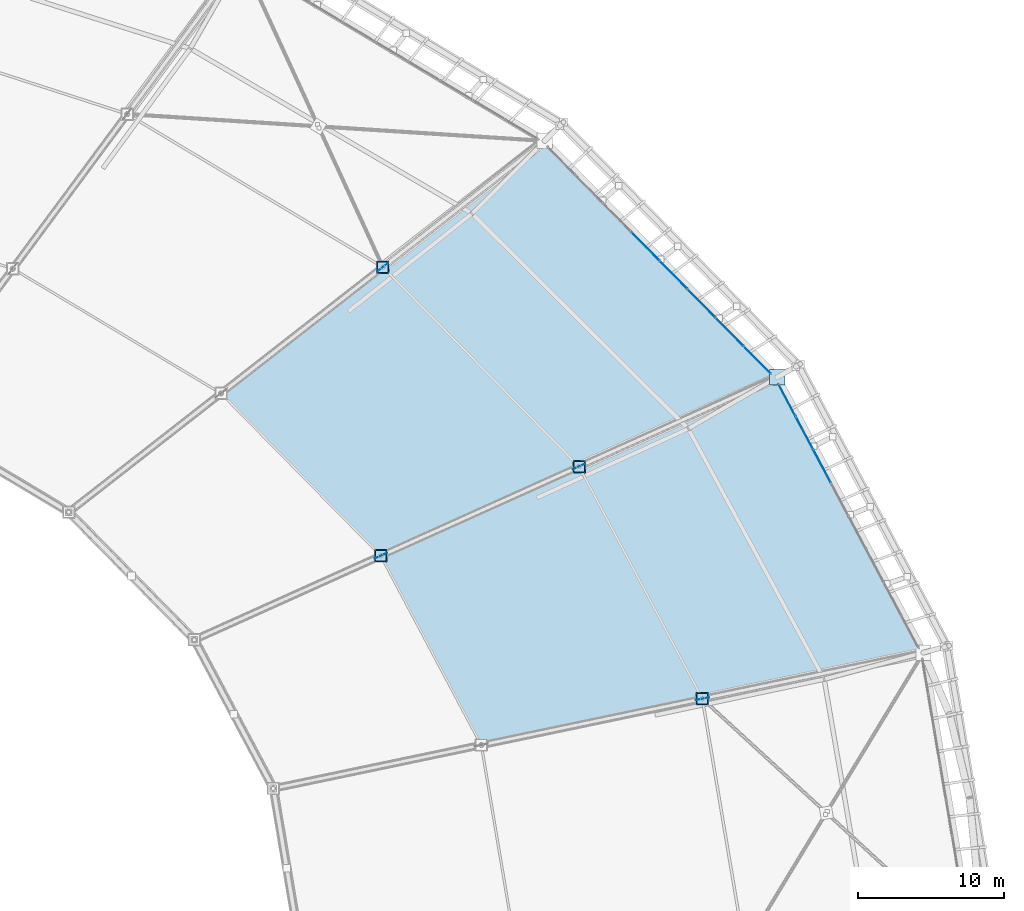
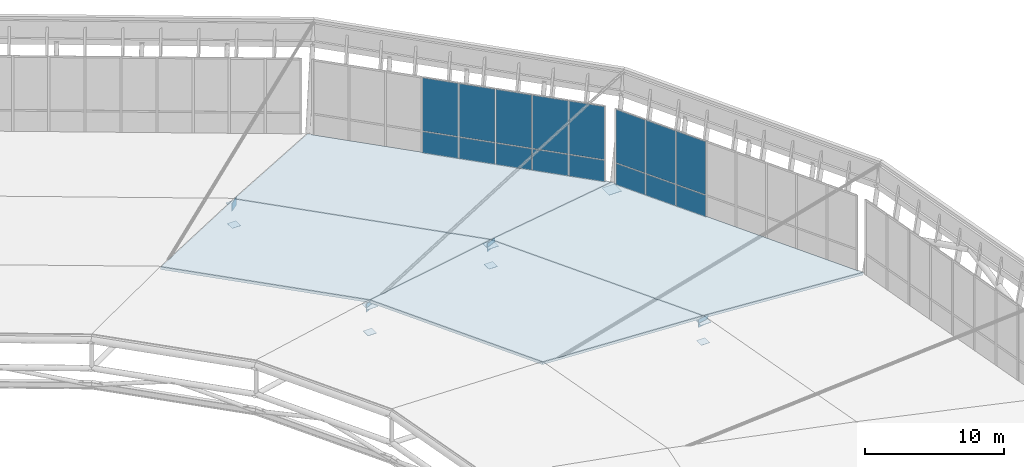
# One storey, part 94 of 115: 29 plates, 4 slabs, 3 elements without a shape of their own.
"""IFC4 building model written with IfcOpenShell, lengths in metres."""

from ifc_helpers import new_model, si_unit, direction, frame, origin, origin_2d, place, context, subcontext, project, spatial, polyline, rectangle, outline, extrude, material, layer, layer_set, type_object, element, aggregate, save


model = new_model("IFC4")

# Units and contexts
model_context = context("Model", 3, precision=1e-05, world=origin(), true_north=direction((0.0, 1.0)))
body_context = subcontext(model_context, "Body", "Model", "MODEL_VIEW")
ifc_project = project(units=[si_unit("LENGTHUNIT", "METRE"), si_unit("AREAUNIT", "SQUARE_METRE"), si_unit("VOLUMEUNIT", "CUBIC_METRE"), si_unit("PLANEANGLEUNIT", "RADIAN"), si_unit("MASSUNIT", "GRAM", prefix="KILO")], contexts=[model_context])

# Site, building, storey
site_placement = place(None, origin())
site = spatial("IfcSite", under=ifc_project, at=site_placement, CompositionType="ELEMENT")
building_placement = place(site_placement, origin())
building = spatial("IfcBuilding", under=site, at=building_placement, Name="Zlatoyarsky Gate Stadium", CompositionType="ELEMENT")
storey_placement = place(building_placement, frame((0.0, 0.0, 31.800048828125)))
storey = spatial("IfcBuildingStorey", under=building, at=storey_placement, Name="RF", CompositionType="ELEMENT", Elevation=31.800048828125)

# Roof, slabs
ifc_material_1 = material(Name="Standing-seam aluminium-zinc roofing with mineral wool insulation", Category="aluminium")
ifc_layer_1 = layer(ifc_material_1, 0.080078125)
ifc_layer_set_1 = layer_set([ifc_layer_1], Name="Standing-seam aluminium-zinc roofing with mineral wool insulation")
roof_type = type_object("IfcRoofType", Name="STADIUM BARREL VAULT ROOF ASSEMBLY", PredefinedType="BARREL_ROOF", material=ifc_layer_set_1)
roof_placement = place(storey_placement, origin())
roof = element("IfcRoof", 1, at=roof_placement, inside=storey, type_object=roof_type, Name="Stadium barrel arch roof sector 1", PredefinedType="BARREL_ROOF")
ifc_material_2 = material(Name="Concrete C40/50", Category="concrete")
ifc_layer_2 = layer(ifc_material_2, 0.199951171875)
ifc_layer_set_2 = layer_set([ifc_layer_2], Name="Concrete C40/50")
slab_type = type_object("IfcSlabType", Name="COMPOSITE STADIUM ROOF DECK SLAB 200", PredefinedType="ROOF", material=ifc_layer_set_2)
slab_1_placement = place(storey_placement, frame((207.619140625, 100.195068359375, 0.199951171875), z_axis=(0.197393520935, 0.104815476231, 0.974704834212), x_axis=(-0.468978328534, 0.8832096735, -7.78726e-07)))
slab_1 = element("IfcSlab", 2, at=slab_1_placement, type_object=slab_type, Name="Stadium arched roof deck sector 01 bay 1", PredefinedType="ROOF", context=body_context, shape_type="SweptSolid", body=[
    extrude(outline(polyline([(0.0, 0.0), (21.30733667960491, -3.552713678800501e-15), (22.272037155518145, 15.212437205781285), (4.297197083498218, 15.212300335087063), (0.0, 0.0)])), origin(), (0.0, 0.0, -1.0), 0.199951171875),
])
slab_2_placement = place(storey_placement, frame((192.508056640625, 97.03662109375, 3.599853515625), z_axis=(0.183541042483, 0.097459660481, 0.97816885061), x_axis=(-0.46898487922, 0.883206195099, 1.019999e-06)))
slab_2 = element("IfcSlab", 3, at=slab_2_placement, type_object=slab_type, Name="Stadium arched roof deck sector 01 bay 2", PredefinedType="ROOF", context=body_context, shape_type="SweptSolid", body=[
    extrude(outline(polyline([(0.0, 0.0), (17.97484007253932, 0.0), (18.939656384642074, 15.15856553760574), (4.297211790298488, 15.158725632562989), (0.0, 0.0)])), origin(), (0.0, 0.0, -1.0), 0.199951171875),
])
slab_3_placement = place(storey_placement, frame((197.62646484375, 119.013916015625, 0.199951171875), z_axis=(0.168948625829, 0.166192117478, 0.971512502194), x_axis=(-0.701266900285, 0.712898824915, -8.8643e-08)))
slab_3 = element("IfcSlab", 4, at=slab_3_placement, type_object=slab_type, Name="Stadium arched roof deck sector 02 bay 1", PredefinedType="ROOF", context=body_context, shape_type="SweptSolid", body=[
    extrude(outline(polyline([(0.0, 0.0), (22.667889468842993, 0.0), (24.273771870630213, 14.346296345083724), (5.151031200888392, 14.346280713684154), (0.0, 0.0)])), origin(), (0.0, 0.0, -1.0), 0.199951171875),
])
slab_4_placement = place(storey_placement, frame((184.078125, 112.912109375, 3.599853515625), z_axis=(0.157163436364, 0.154599522261, 0.975396658794), x_axis=(-0.701267503741, 0.712898231304, -1.1819e-07)))
slab_4 = element("IfcSlab", 5, at=slab_4_placement, type_object=slab_type, Name="Stadium arched roof deck sector 02 bay 2", PredefinedType="ROOF", context=body_context, shape_type="SweptSolid", body=[
    extrude(outline(polyline([(0.0, 0.0), (19.122740669748183, 0.0), (20.72863479855162, 14.289166108712909), (5.151042927889645, 14.289147505340267), (0.0, 0.0)])), origin(), (0.0, 0.0, -1.0), 0.199951171875),
])
aggregate(roof, [slab_1, slab_2, slab_3, slab_4])

# Plates
ifc_material_3 = material(Name="Steel S355", Category="steel")
ifc_layer_3 = layer(ifc_material_3, 0.02392578125)
ifc_layer_set_3 = layer_set([ifc_layer_3], Name="Steel S355")
plate_type_1 = type_object("IfcPlateType", Name="STEEL COMPRESSION RING NODE CAP SHEET 24", PredefinedType="SHEET", material=ifc_layer_set_3)
plate_1_placement = place(storey_placement, frame((197.62646484375, 119.013916015625, -0.4619140625), z_axis=(0.0, 0.0, 1.0), x_axis=(1.0, 0.0, 0.0)))
element("IfcPlate", 6, at=plate_1_placement, inside=storey, type_object=plate_type_1, Name="Node closure plate ND-CR1 NCAP-CR-02", PredefinedType="SHEET", context=body_context, shape_type="SweptSolid", body=[
    extrude(rectangle(XDim=1.050048828125, YDim=1.050048828125, at=origin_2d()), origin(), (0.0, 0.0, 1.0), 0.02392578125),
])
ifc_layer_4 = layer(ifc_material_3, 0.02392578125)
ifc_layer_set_4 = layer_set([ifc_layer_4], Name="Steel S355")
plate_type_2 = type_object("IfcPlateType", Name="STEEL HOLLOW CHORD SPLICE SHEET 24", PredefinedType="SHEET", material=ifc_layer_set_4)
plate_2_placement = place(storey_placement, frame((192.508056640625, 97.03662109375, 3.137939453125), z_axis=(0.0, 0.0, 1.0), x_axis=(1.0, 0.0, 0.0)))
element("IfcPlate", 7, at=plate_2_placement, inside=storey, type_object=plate_type_2, Name="Node closure plate ND-SP1 NCAP-TCH-01-1", PredefinedType="SHEET", context=body_context, shape_type="SweptSolid", body=[
    extrude(rectangle(XDim=0.85009765625, YDim=0.85009765625, at=origin_2d()), origin(), (0.0, 0.0, 1.0), 0.02392578125),
])
plate_3_placement = place(storey_placement, frame((192.508056640625, 97.03662109375, 1.337890625), z_axis=(0.0, 0.0, 1.0), x_axis=(1.0, 0.0, 0.0)))
element("IfcPlate", 8, at=plate_3_placement, inside=storey, type_object=plate_type_2, Name="Node closure plate ND-SP1 NCAP-BCH-01-1", PredefinedType="SHEET", context=body_context, shape_type="SweptSolid", body=[
    extrude(rectangle(XDim=0.719970703125, YDim=0.719970703125, at=origin_2d()), origin(), (0.0, 0.0, 1.0), 0.02392578125),
])
plate_4_placement = place(storey_placement, frame((184.078125, 112.912109375, 3.137939453125), z_axis=(0.0, 0.0, 1.0), x_axis=(1.0, 0.0, 0.0)))
element("IfcPlate", 9, at=plate_4_placement, inside=storey, type_object=plate_type_2, Name="Node closure plate ND-SP1 NCAP-TCH-02-1", PredefinedType="SHEET", context=body_context, shape_type="SweptSolid", body=[
    extrude(rectangle(XDim=0.85009765625, YDim=0.85009765625, at=origin_2d()), origin(), (0.0, 0.0, 1.0), 0.02392578125),
])
plate_5_placement = place(storey_placement, frame((184.078125, 112.912109375, 1.337890625), z_axis=(0.0, 0.0, 1.0), x_axis=(1.0, 0.0, 0.0)))
element("IfcPlate", 10, at=plate_5_placement, inside=storey, type_object=plate_type_2, Name="Node closure plate ND-SP1 NCAP-BCH-02-1", PredefinedType="SHEET", context=body_context, shape_type="SweptSolid", body=[
    extrude(rectangle(XDim=0.719970703125, YDim=0.719970703125, at=origin_2d()), origin(), (0.0, 0.0, 1.0), 0.02392578125),
])
plate_6_placement = place(storey_placement, frame((170.52978515625, 106.810302734375, 6.2880859375), z_axis=(0.0, 0.0, 1.0), x_axis=(1.0, 0.0, 0.0)))
element("IfcPlate", 11, at=plate_6_placement, inside=storey, type_object=plate_type_2, Name="Node closure plate ND-SP1 NCAP-TCH-02-2", PredefinedType="SHEET", context=body_context, shape_type="SweptSolid", body=[
    extrude(rectangle(XDim=0.85009765625, YDim=0.85009765625, at=origin_2d()), origin(), (0.0, 0.0, 1.0), 0.02392578125),
])
plate_7_placement = place(storey_placement, frame((170.52978515625, 106.810302734375, 3.93798828125), z_axis=(0.0, 0.0, 1.0), x_axis=(1.0, 0.0, 0.0)))
element("IfcPlate", 12, at=plate_7_placement, inside=storey, type_object=plate_type_2, Name="Node closure plate ND-SP1 NCAP-BCH-02-2", PredefinedType="SHEET", context=body_context, shape_type="SweptSolid", body=[
    extrude(rectangle(XDim=0.719970703125, YDim=0.719970703125, at=origin_2d()), origin(), (0.0, 0.0, 1.0), 0.02392578125),
])
plate_8_placement = place(storey_placement, frame((170.66796875, 126.544677734375, 3.137939453125), z_axis=(0.0, 0.0, 1.0), x_axis=(1.0, 0.0, 0.0)))
element("IfcPlate", 13, at=plate_8_placement, inside=storey, type_object=plate_type_2, Name="Node closure plate ND-SP1 NCAP-TCH-03-1", PredefinedType="SHEET", context=body_context, shape_type="SweptSolid", body=[
    extrude(rectangle(XDim=0.85009765625, YDim=0.85009765625, at=origin_2d()), origin(), (0.0, 0.0, 1.0), 0.02392578125),
])
plate_9_placement = place(storey_placement, frame((170.66796875, 126.544677734375, 1.337890625), z_axis=(0.0, 0.0, 1.0), x_axis=(1.0, 0.0, 0.0)))
element("IfcPlate", 14, at=plate_9_placement, inside=storey, type_object=plate_type_2, Name="Node closure plate ND-SP1 NCAP-BCH-03-1", PredefinedType="SHEET", context=body_context, shape_type="SweptSolid", body=[
    extrude(rectangle(XDim=0.719970703125, YDim=0.719970703125, at=origin_2d()), origin(), (0.0, 0.0, 1.0), 0.02392578125),
])
ifc_layer_5 = layer(ifc_material_3, 0.031982421875)
ifc_layer_set_5 = layer_set([ifc_layer_5], Name="Steel S355")
plate_type_3 = type_object("IfcPlateType", Name="STEEL RADIAL TRUSS GUSSET PLATE 32", PredefinedType="USERDEFINED", material=ifc_layer_set_5)
for number, where, z_axis, x_axis, name in (
    (15, (192.508056640625, 97.03662109375, 2.7900390625), (0.0, 0.0, 1.0), (-0.97884666261, -0.204595237232, 0.0), "Radial truss gusset plate ND-WB1 01.1"),
    (16, (184.078125, 112.912109375, 2.7900390625), (0.0, 0.0, 1.0), (-0.911795809075, -0.410643887757, 0.0), "Radial truss gusset plate ND-WB1 02.1"),
    (17, (170.52978515625, 106.810302734375, 5.93994140625), (0.0, 0.0, 1.0), (-0.911795809075, -0.410643887757, 0.0), "Radial truss gusset plate ND-WB1 02.2"),
    (18, (170.66796875, 126.544677734375, 2.7900390625), (0.0, 0.0, 1.0), (-0.788479093296, -0.615061557436, 0.0), "Radial truss gusset plate ND-WB1 03.1"),
):
    element("IfcPlate", number, at=place(storey_placement, frame(where, z_axis=z_axis, x_axis=x_axis)), inside=storey, type_object=plate_type_3, Name=name, ObjectType="GUSSET PLATE", PredefinedType="USERDEFINED", context=body_context, shape_type="SweptSolid", body=[
        extrude(rectangle(XDim=0.919921875, YDim=0.031982421875, at=origin_2d()), origin(), (0.0, 0.0, 1.0), 0.719970703125),
    ])

# Curtain wall, plates
ifc_material_4 = material(Name="Thermally broken anodised aluminium curtain wall", Category="aluminium")
curtain_wall_type = type_object("IfcCurtainWallType", Name="UNITISED SKYBOX RING GLAZING L05", PredefinedType="USERDEFINED", material=ifc_material_4)
curtain_wall_1_placement = place(storey_placement, origin())
curtain_wall_1 = element("IfcCurtainWall", 19, at=curtain_wall_1_placement, inside=storey, type_object=curtain_wall_type, Name="Curtain wall CW-RF-01", ObjectType="UNITISED GLAZING", PredefinedType="USERDEFINED")
ifc_material_5 = material(Name="Triple-glazed argon low-e architectural glass", Category="glass")
ifc_layer_6 = layer(ifc_material_5, 0.0380859375)
ifc_layer_set_6 = layer_set([ifc_layer_6], Name="Triple-glazed argon low-e architectural glass")
plate_type_4 = type_object("IfcPlateType", Name="TRIPLE GLAZED LOW E CURTAIN PANEL 38", PredefinedType="CURTAIN_PANEL", material=ifc_layer_set_6)
plate_10_placement = place(storey_placement, frame((200.69384765625, 112.94091796875, 0.06494140625), z_axis=(0.0, 0.0, 1.0), x_axis=(-0.469126652345, 0.883130898599, 0.0)))
plate_10 = element("IfcPlate", 20, at=plate_10_placement, type_object=plate_type_4, Name="CW-UG5 panel 6.1", PredefinedType="CURTAIN_PANEL", context=body_context, shape_type="SweptSolid", body=[
    extrude(rectangle(XDim=2.493896484375, YDim=0.0380859375, at=origin_2d()), origin(), (0.0, 0.0, 1.0), 2.052490234375),
])
plate_11_placement = place(storey_placement, frame((200.69384765625, 112.94091796875, 2.1826171875), z_axis=(0.0, 0.0, 1.0), x_axis=(-0.469126652345, 0.883130898599, 0.0)))
plate_11 = element("IfcPlate", 21, at=plate_11_placement, type_object=plate_type_4, Name="CW-UG5 panel 6.2", PredefinedType="CURTAIN_PANEL", context=body_context, shape_type="SweptSolid", body=[
    extrude(rectangle(XDim=2.493896484375, YDim=0.0380859375, at=origin_2d()), origin(), (0.0, 0.0, 1.0), 4.652587890625),
])
plate_12_placement = place(storey_placement, frame((199.49365234375, 115.20068359375, 0.06494140625), z_axis=(0.0, 0.0, 1.0), x_axis=(-0.469126652345, 0.883130898599, 0.0)))
plate_12 = element("IfcPlate", 22, at=plate_12_placement, type_object=plate_type_4, Name="CW-UG5 panel 7.1", PredefinedType="CURTAIN_PANEL", context=body_context, shape_type="SweptSolid", body=[
    extrude(rectangle(XDim=2.493896484375, YDim=0.0380859375, at=origin_2d()), origin(), (0.0, 0.0, 1.0), 2.052490234375),
])
plate_13_placement = place(storey_placement, frame((199.49365234375, 115.20068359375, 2.1826171875), z_axis=(0.0, 0.0, 1.0), x_axis=(-0.469126652345, 0.883130898599, 0.0)))
plate_13 = element("IfcPlate", 23, at=plate_13_placement, type_object=plate_type_4, Name="CW-UG5 panel 7.2", PredefinedType="CURTAIN_PANEL", context=body_context, shape_type="SweptSolid", body=[
    extrude(rectangle(XDim=2.493896484375, YDim=0.0380859375, at=origin_2d()), origin(), (0.0, 0.0, 1.0), 4.652587890625),
])
plate_14_placement = place(storey_placement, frame((198.30078125, 117.4462890625, 0.06494140625), z_axis=(0.0, 0.0, 1.0), x_axis=(-0.469126652345, 0.883130898599, 0.0)))
plate_14 = element("IfcPlate", 24, at=plate_14_placement, type_object=plate_type_4, Name="CW-UG5 panel 8.1", PredefinedType="CURTAIN_PANEL", context=body_context, shape_type="SweptSolid", body=[
    extrude(rectangle(XDim=2.46142578125, YDim=0.0380859375, at=origin_2d()), origin(), (0.0, 0.0, 1.0), 2.052490234375),
])
plate_15_placement = place(storey_placement, frame((198.30078125, 117.4462890625, 2.1826171875), z_axis=(0.0, 0.0, 1.0), x_axis=(-0.469126652345, 0.883130898599, 0.0)))
plate_15 = element("IfcPlate", 25, at=plate_15_placement, type_object=plate_type_4, Name="CW-UG5 panel 8.2", PredefinedType="CURTAIN_PANEL", context=body_context, shape_type="SweptSolid", body=[
    extrude(rectangle(XDim=2.46142578125, YDim=0.0380859375, at=origin_2d()), origin(), (0.0, 0.0, 1.0), 4.652587890625),
])
aggregate(curtain_wall_1, [plate_10, plate_11, plate_12, plate_13, plate_14, plate_15])

curtain_wall_2_placement = place(storey_placement, origin())
curtain_wall_2 = element("IfcCurtainWall", 26, at=curtain_wall_2_placement, inside=storey, type_object=curtain_wall_type, Name="Curtain wall CW-RF-02", ObjectType="UNITISED GLAZING", PredefinedType="USERDEFINED")
plate_16_placement = place(storey_placement, frame((196.256103515625, 120.213134765625, 0.06494140625), z_axis=(0.0, 0.0, 1.0), x_axis=(-0.701401848456, 0.712766053473, 0.0)))
plate_16 = element("IfcPlate", 27, at=plate_16_placement, type_object=plate_type_4, Name="CW-UG5 panel 1.1", PredefinedType="CURTAIN_PANEL", context=body_context, shape_type="SweptSolid", body=[
    extrude(rectangle(XDim=2.63134765625, YDim=0.0380859375, at=origin_2d()), origin(), (0.0, 0.0, 1.0), 2.052490234375),
])
plate_17_placement = place(storey_placement, frame((196.256103515625, 120.213134765625, 2.1826171875), z_axis=(0.0, 0.0, 1.0), x_axis=(-0.701401848456, 0.712766053473, 0.0)))
plate_17 = element("IfcPlate", 28, at=plate_17_placement, type_object=plate_type_4, Name="CW-UG5 panel 1.2", PredefinedType="CURTAIN_PANEL", context=body_context, shape_type="SweptSolid", body=[
    extrude(rectangle(XDim=2.63134765625, YDim=0.0380859375, at=origin_2d()), origin(), (0.0, 0.0, 1.0), 4.652587890625),
])
plate_18_placement = place(storey_placement, frame((194.353515625, 122.146484375, 0.06494140625), z_axis=(0.0, 0.0, 1.0), x_axis=(-0.701401848456, 0.712766053473, 0.0)))
plate_18 = element("IfcPlate", 29, at=plate_18_placement, type_object=plate_type_4, Name="CW-UG5 panel 2.1", PredefinedType="CURTAIN_PANEL", context=body_context, shape_type="SweptSolid", body=[
    extrude(rectangle(XDim=2.6640625, YDim=0.0380859375, at=origin_2d()), origin(), (0.0, 0.0, 1.0), 2.052490234375),
])
plate_19_placement = place(storey_placement, frame((194.353515625, 122.146484375, 2.1826171875), z_axis=(0.0, 0.0, 1.0), x_axis=(-0.701401848456, 0.712766053473, 0.0)))
plate_19 = element("IfcPlate", 30, at=plate_19_placement, type_object=plate_type_4, Name="CW-UG5 panel 2.2", PredefinedType="CURTAIN_PANEL", context=body_context, shape_type="SweptSolid", body=[
    extrude(rectangle(XDim=2.6640625, YDim=0.0380859375, at=origin_2d()), origin(), (0.0, 0.0, 1.0), 4.652587890625),
])
plate_20_placement = place(storey_placement, frame((192.439453125, 124.091796875, 0.06494140625), z_axis=(0.0, 0.0, 1.0), x_axis=(-0.701401848456, 0.712766053473, 0.0)))
plate_20 = element("IfcPlate", 31, at=plate_20_placement, type_object=plate_type_4, Name="CW-UG5 panel 3.1", PredefinedType="CURTAIN_PANEL", context=body_context, shape_type="SweptSolid", body=[
    extrude(rectangle(XDim=2.6640625, YDim=0.0380859375, at=origin_2d()), origin(), (0.0, 0.0, 1.0), 2.052490234375),
])
plate_21_placement = place(storey_placement, frame((192.439453125, 124.091796875, 2.1826171875), z_axis=(0.0, 0.0, 1.0), x_axis=(-0.701401848456, 0.712766053473, 0.0)))
plate_21 = element("IfcPlate", 32, at=plate_21_placement, type_object=plate_type_4, Name="CW-UG5 panel 3.2", PredefinedType="CURTAIN_PANEL", context=body_context, shape_type="SweptSolid", body=[
    extrude(rectangle(XDim=2.6640625, YDim=0.0380859375, at=origin_2d()), origin(), (0.0, 0.0, 1.0), 4.652587890625),
])
plate_22_placement = place(storey_placement, frame((190.525146484375, 126.036865234375, 0.06494140625), z_axis=(0.0, 0.0, 1.0), x_axis=(-0.701401848456, 0.712766053473, 0.0)))
plate_22 = element("IfcPlate", 33, at=plate_22_placement, type_object=plate_type_4, Name="CW-UG5 panel 4.1", PredefinedType="CURTAIN_PANEL", context=body_context, shape_type="SweptSolid", body=[
    extrude(rectangle(XDim=2.6640625, YDim=0.0380859375, at=origin_2d()), origin(), (0.0, 0.0, 1.0), 2.052490234375),
])
plate_23_placement = place(storey_placement, frame((190.525146484375, 126.036865234375, 2.1826171875), z_axis=(0.0, 0.0, 1.0), x_axis=(-0.701401848456, 0.712766053473, 0.0)))
plate_23 = element("IfcPlate", 34, at=plate_23_placement, type_object=plate_type_4, Name="CW-UG5 panel 4.2", PredefinedType="CURTAIN_PANEL", context=body_context, shape_type="SweptSolid", body=[
    extrude(rectangle(XDim=2.6640625, YDim=0.0380859375, at=origin_2d()), origin(), (0.0, 0.0, 1.0), 4.652587890625),
])
plate_24_placement = place(storey_placement, frame((188.611083984375, 127.98193359375, 0.06494140625), z_axis=(0.0, 0.0, 1.0), x_axis=(-0.701401848456, 0.712766053473, 0.0)))
plate_24 = element("IfcPlate", 35, at=plate_24_placement, type_object=plate_type_4, Name="CW-UG5 panel 5.1", PredefinedType="CURTAIN_PANEL", context=body_context, shape_type="SweptSolid", body=[
    extrude(rectangle(XDim=2.6640625, YDim=0.0380859375, at=origin_2d()), origin(), (0.0, 0.0, 1.0), 2.052490234375),
])
plate_25_placement = place(storey_placement, frame((188.611083984375, 127.98193359375, 2.1826171875), z_axis=(0.0, 0.0, 1.0), x_axis=(-0.701401848456, 0.712766053473, 0.0)))
plate_25 = element("IfcPlate", 36, at=plate_25_placement, type_object=plate_type_4, Name="CW-UG5 panel 5.2", PredefinedType="CURTAIN_PANEL", context=body_context, shape_type="SweptSolid", body=[
    extrude(rectangle(XDim=2.6640625, YDim=0.0380859375, at=origin_2d()), origin(), (0.0, 0.0, 1.0), 4.652587890625),
])
aggregate(curtain_wall_2, [plate_16, plate_17, plate_18, plate_19, plate_20, plate_21, plate_22, plate_23, plate_24, plate_25])

save(model, "model.ifc")
